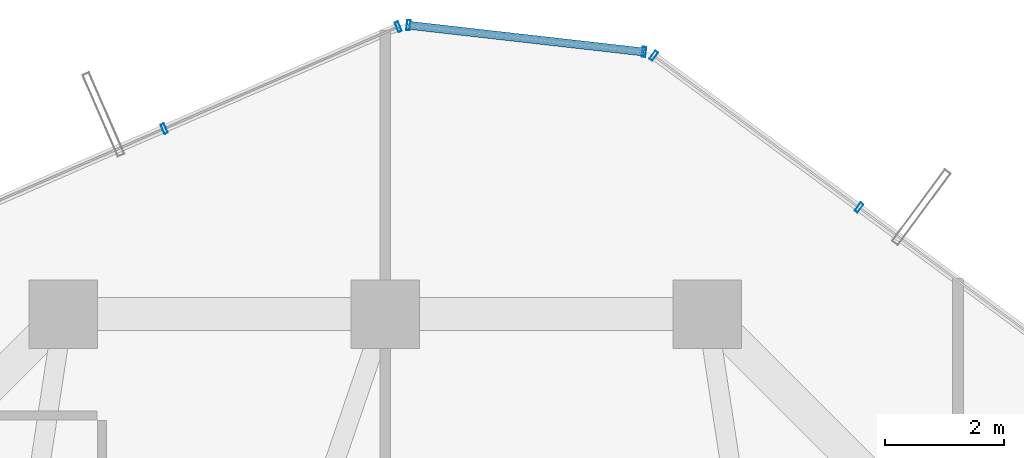
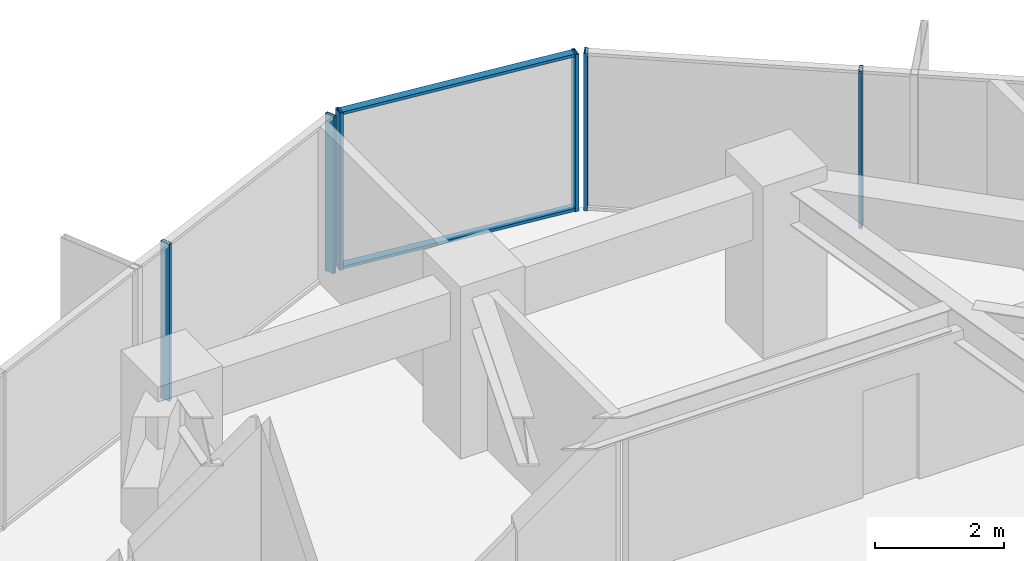
# One storey, part 22 of 29: 8 members, 3 elements without a shape of their own.
"""IFC4 building model written with IfcOpenShell, lengths in metres."""

from ifc_helpers import new_model, si_unit, direction, frame, origin, origin_2d, place, context, subcontext, project, spatial, hollow_rectangle, extrude, source, transform, mapped, material, layer, layer_set, material_profile, profile_set, type_object, element, aggregate, save


model = new_model("IFC4")

# Units and contexts
model_context = context("Model", 3, precision=1e-05, world=origin(), true_north=direction((0.0, 1.0)))
body_context = subcontext(model_context, "Body", "Model", "MODEL_VIEW")
ifc_project = project(units=[si_unit("LENGTHUNIT", "METRE"), si_unit("AREAUNIT", "SQUARE_METRE"), si_unit("VOLUMEUNIT", "CUBIC_METRE"), si_unit("PLANEANGLEUNIT", "RADIAN"), si_unit("MASSUNIT", "GRAM", prefix="KILO")], contexts=[model_context])

# Site, building, storey
site_placement = place(None, origin())
site = spatial("IfcSite", under=ifc_project, at=site_placement, CompositionType="ELEMENT")
building_placement = place(site_placement, origin())
building = spatial("IfcBuilding", under=site, at=building_placement, Name="Veraguas Prism Commons", CompositionType="ELEMENT")
storey_placement = place(building_placement, frame((0.0, 0.0, 105.699951171875)))
storey = spatial("IfcBuildingStorey", under=building, at=storey_placement, Name="L29", CompositionType="ELEMENT", Elevation=105.699951171875)

# Curtain wall, members
ifc_material = material(Name="Anodised aluminium EN AW-6063 T6", Category="aluminium")
ifc_layer = layer(ifc_material, 0.169921875, Name="Unitised Flush Curtain Wall Zone 2", Category="aluminium")
ifc_layer_set = layer_set([ifc_layer], Name="Anodised aluminium EN AW-6063 T6")
curtain_wall_type = type_object("IfcCurtainWallType", Name="Unitised Flush Curtain Wall Zone 2", PredefinedType="NOTDEFINED", material=ifc_layer_set)
curtain_wall_1_placement = place(storey_placement, origin())
curtain_wall_1 = element("IfcCurtainWall", 1, at=curtain_wall_1_placement, inside=storey, type_object=curtain_wall_type, Name="Tower Facade Curtain Wall L29-F1", PredefinedType="NOTDEFINED")
ifc_material_profile_1 = material_profile(ifc_material, hollow_rectangle(XDim=0.06005859375, YDim=0.169921875, WallThickness=0.00390625, at=origin_2d()), Name="AL60X170X4")
ifc_profile_set_1 = profile_set([ifc_material_profile_1], Name="Anodised aluminium EN AW-6063 T6")
member_type_1 = type_object("IfcMemberType", Name="Curtain Wall Mullion Lower AL 60x170x4", PredefinedType="MULLION", material=ifc_profile_set_1)
shared_shape_1 = source(origin(), body_context, "Body", "SweptSolid", [
    extrude(hollow_rectangle(XDim=0.06005859375, YDim=0.169921875, WallThickness=0.00390625, at=origin_2d()), origin(), (0.0, 0.0, 1.0), 2.969970703125),
])
member_1_placement = place(storey_placement, frame((31.9404296875, 41.985595703125, 0.0), z_axis=(0.0, 0.0, 1.0), x_axis=(-0.804067556966, 0.59453794146, 0.0)))
member_1 = element("IfcMember", 2, at=member_1_placement, type_object=member_type_1, Name="CW-Z2 Mullion 4", PredefinedType="MULLION", context=body_context, shape_type="MappedRepresentation", body=[
    mapped(shared_shape_1, transform((0.0, 0.0, 0.0), scale=1.0)),
])
member_2_placement = place(storey_placement, frame((28.5, 44.529296875, 0.0), z_axis=(0.0, 0.0, 1.0), x_axis=(-0.804067556966, 0.59453794146, 0.0)))
member_2 = element("IfcMember", 3, at=member_2_placement, type_object=member_type_1, Name="CW-Z2 Mullion 5", PredefinedType="MULLION", context=body_context, shape_type="MappedRepresentation", body=[
    mapped(shared_shape_1, transform((0.0, 0.0, 0.0), scale=1.0)),
])
aggregate(curtain_wall_1, [member_1, member_2])

curtain_wall_2_placement = place(storey_placement, origin())
curtain_wall_2 = element("IfcCurtainWall", 4, at=curtain_wall_2_placement, inside=storey, type_object=curtain_wall_type, Name="Tower Facade Curtain Wall L29-F2", PredefinedType="NOTDEFINED")
member_3_placement = place(storey_placement, frame((24.21875, 45.015625, 0.0), z_axis=(0.0, 0.0, 1.0), x_axis=(-0.916919435815, -0.399072359635, 0.0)))
member_3 = element("IfcMember", 5, at=member_3_placement, type_object=member_type_1, Name="CW-Z2 Mullion 1", PredefinedType="MULLION", context=body_context, shape_type="MappedRepresentation", body=[
    mapped(shared_shape_1, transform((0.0, 0.0, 0.0), scale=1.0)),
])
member_4_placement = place(storey_placement, frame((20.295654296875, 43.308349609375, 0.0), z_axis=(0.0, 0.0, 1.0), x_axis=(-0.916919435815, -0.399072359635, 0.0)))
member_4 = element("IfcMember", 6, at=member_4_placement, type_object=member_type_1, Name="CW-Z2 Mullion 2", PredefinedType="MULLION", context=body_context, shape_type="MappedRepresentation", body=[
    mapped(shared_shape_1, transform((0.0, 0.0, 0.0), scale=1.0)),
])
aggregate(curtain_wall_2, [member_3, member_4])

curtain_wall_3_placement = place(storey_placement, origin())
curtain_wall_3 = element("IfcCurtainWall", 7, at=curtain_wall_3_placement, inside=storey, type_object=curtain_wall_type, Name="Chamfer Curtain Wall L29-C2", PredefinedType="NOTDEFINED")
member_5_placement = place(storey_placement, frame((28.33837890625, 44.593017578125, 0.0), z_axis=(0.0, 0.0, 1.0), x_axis=(-0.993613280084, 0.112839043067, 0.0)))
member_5 = element("IfcMember", 8, at=member_5_placement, type_object=member_type_1, Name="CW-Z2 Mullion 1", PredefinedType="MULLION", context=body_context, shape_type="MappedRepresentation", body=[
    mapped(shared_shape_1, transform((0.0, 0.0, 0.0), scale=1.0)),
])
member_6_placement = place(storey_placement, frame((24.390625, 45.04150390625, 0.0), z_axis=(0.0, 0.0, 1.0), x_axis=(-0.993613280084, 0.112839043067, 0.0)))
member_6 = element("IfcMember", 9, at=member_6_placement, type_object=member_type_1, Name="CW-Z2 Mullion 2", PredefinedType="MULLION", context=body_context, shape_type="MappedRepresentation", body=[
    mapped(shared_shape_1, transform((0.0, 0.0, 0.0), scale=1.0)),
])
ifc_material_profile_2 = material_profile(ifc_material, hollow_rectangle(XDim=0.054931640625, YDim=0.135009765625, WallThickness=0.0029296875, at=origin_2d()), Name="AL55X135X3")
ifc_profile_set_2 = profile_set([ifc_material_profile_2], Name="Anodised aluminium EN AW-6063 T6")
member_type_2 = type_object("IfcMemberType", Name="Curtain Wall Transom Standard AL 55x135x3", PredefinedType="USERDEFINED", material=ifc_profile_set_2)
shared_shape_2 = source(origin(), body_context, "Body", "SweptSolid", [
    extrude(hollow_rectangle(XDim=0.054931640625, YDim=0.135009765625, WallThickness=0.0029296875, at=origin_2d()), origin(), (0.0, 0.0, 1.0), 3.97314453125),
])
member_7_placement = place(storey_placement, frame((28.33837890625, 44.593017578125, 0.027587890625), z_axis=(-0.993608701161, 0.112879355846, 0.0), x_axis=(0.0, 0.0, 1.0)))
member_7 = element("IfcMember", 10, at=member_7_placement, type_object=member_type_2, Name="CW-Z2 Transom 1", ObjectType="TRANSOM", PredefinedType="USERDEFINED", context=body_context, shape_type="MappedRepresentation", body=[
    mapped(shared_shape_2, transform((0.0, 0.0, 0.0), scale=1.0)),
])
member_8_placement = place(storey_placement, frame((28.33837890625, 44.593017578125, 2.942626953125), z_axis=(-0.993608701161, 0.112879355846, 0.0), x_axis=(0.0, 0.0, 1.0)))
member_8 = element("IfcMember", 11, at=member_8_placement, type_object=member_type_2, Name="CW-Z2 Transom 2", ObjectType="TRANSOM", PredefinedType="USERDEFINED", context=body_context, shape_type="MappedRepresentation", body=[
    mapped(shared_shape_2, transform((0.0, 0.0, 0.0), scale=1.0)),
])
aggregate(curtain_wall_3, [member_5, member_6, member_7, member_8])

save(model, "model.ifc")
